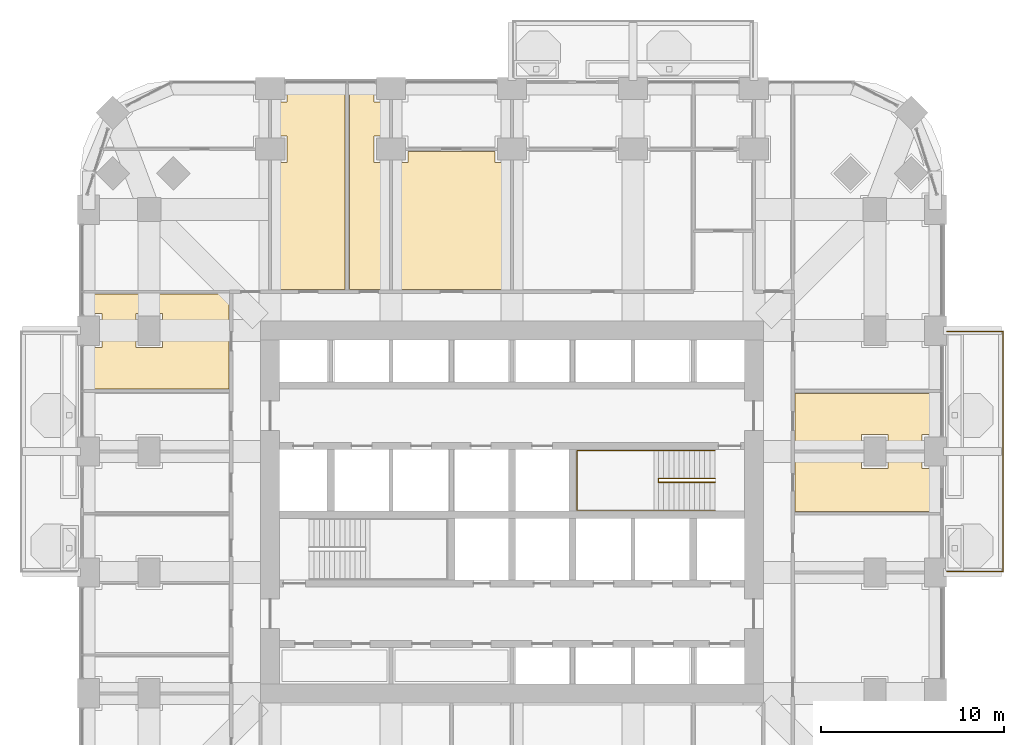
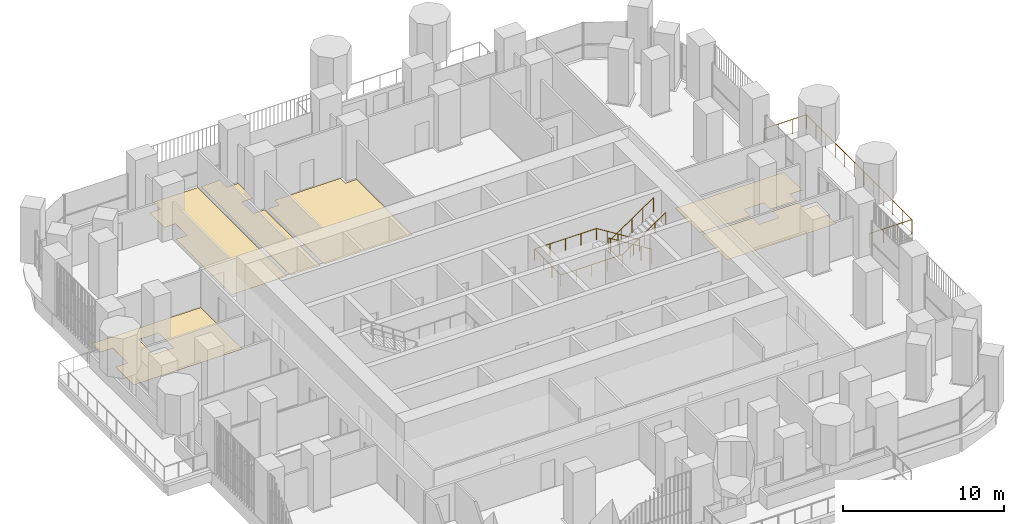
# One storey, part 21 of 23: 6 coverings, 3 railings.
"""IFC4 building model written with IfcOpenShell, lengths in metres."""

from ifc_helpers import new_model, si_unit, direction, frame, origin, place, context, subcontext, project, spatial, polyline, outline, extrude, material, layer, layer_set, type_object, element, save


model = new_model("IFC4")

# Units and contexts
model_context = context("Model", 3, precision=1e-05, world=origin(), true_north=direction((0.0, 1.0)))
body_context = subcontext(model_context, "Body", "Model", "MODEL_VIEW")
ifc_project = project(units=[si_unit("LENGTHUNIT", "METRE"), si_unit("AREAUNIT", "SQUARE_METRE"), si_unit("VOLUMEUNIT", "CUBIC_METRE"), si_unit("PLANEANGLEUNIT", "RADIAN"), si_unit("MASSUNIT", "GRAM", prefix="KILO")], contexts=[model_context])

# Site, building, storey
site_placement = place(None, origin())
site = spatial("IfcSite", under=ifc_project, at=site_placement, CompositionType="ELEMENT")
building_placement = place(site_placement, origin())
building = spatial("IfcBuilding", under=site, at=building_placement, Name="Cobogo Forest Laboratory Tower", CompositionType="ELEMENT")
storey_placement = place(building_placement, frame((0.0, 0.0, 103.199951171875)))
storey = spatial("IfcBuildingStorey", under=building, at=storey_placement, Name="L23", CompositionType="ELEMENT", Elevation=103.199951171875)

# Railing
ifc_material_1 = material(Name="Laminated glass balustrade", Category="glass")
railing_type_1 = type_object("IfcRailingType", Name="BG1 glass balustrade 1100", PredefinedType="GUARDRAIL", material=ifc_material_1)
railing_1_placement = place(storey_placement, frame((50.14990234375, 19.85009765625, 0.0)))
element("IfcRailing", 1, at=railing_1_placement, inside=storey, type_object=railing_type_1, Name="Balcony balustrade BAL-E1 L23", PredefinedType="GUARDRAIL", context=body_context, shape_type="SweptSolid", body=[
    extrude(outline(polyline([(0.022216796875, 0.00927734375), (0.00927734375, 0.022216796875), (-0.00927734375, 0.022216796875), (-0.022216796875, 0.00927734375), (-0.022216796875, -0.00927734375), (-0.00927734375, -0.022216796875), (0.00927734375, -0.022216796875), (0.022216796875, -0.00927734375), (0.022216796875, 0.00927734375)])), frame((0.0, 0.0, 1.077880859375), z_axis=(1.0, 0.0, 0.0), x_axis=(0.0, 1.0, 0.0)), (0.0, 0.0, 1.0), 3.050048828125),
    extrude(outline(polyline([(0.022216796875, 0.00927734375), (0.00927734375, 0.022216796875), (-0.00927734375, 0.022216796875), (-0.022216796875, 0.00927734375), (-0.022216796875, -0.00927734375), (-0.00927734375, -0.022216796875), (0.00927734375, -0.022216796875), (0.022216796875, -0.00927734375), (0.022216796875, 0.00927734375)])), frame((3.050048828125, 0.0, 1.077880859375), z_axis=(0.0, 1.0, 0.0), x_axis=(-1.0, 0.0, 0.0)), (0.0, 0.0, 1.0), 13.099853515625),
    extrude(outline(polyline([(0.022216796875, 0.00927734375), (0.00927734375, 0.022216796875), (-0.00927734375, 0.022216796875), (-0.022216796875, 0.00927734375), (-0.022216796875, -0.00927734375), (-0.00927734375, -0.022216796875), (0.00927734375, -0.022216796875), (0.022216796875, -0.00927734375), (0.022216796875, 0.00927734375)])), frame((3.050048828125, 13.099853515625, 1.077880859375), z_axis=(-1.0, 0.0, 0.0), x_axis=(0.0, -1.0, 0.0)), (0.0, 0.0, 1.0), 3.050048828125),
    extrude(outline(polyline([(0.019287109375, 0.008056640625), (0.008056640625, 0.019287109375), (-0.008056640625, 0.019287109375), (-0.019287109375, 0.008056640625), (-0.019287109375, -0.008056640625), (-0.008056640625, -0.019287109375), (0.008056640625, -0.019287109375), (0.019287109375, -0.008056640625), (0.019287109375, 0.008056640625)])), origin(), (0.0, 0.0, 1.0), 1.077880859375),
    extrude(outline(polyline([(0.019287109375, 0.008056640625), (0.008056640625, 0.019287109375), (-0.008056640625, 0.019287109375), (-0.019287109375, 0.008056640625), (-0.019287109375, -0.008056640625), (-0.008056640625, -0.019287109375), (0.008056640625, -0.019287109375), (0.019287109375, -0.008056640625), (0.019287109375, 0.008056640625)])), frame((1.0166015625, 0.0, 0.0)), (0.0, 0.0, 1.0), 1.077880859375),
    extrude(outline(polyline([(0.019287109375, 0.008056640625), (0.008056640625, 0.019287109375), (-0.008056640625, 0.019287109375), (-0.019287109375, 0.008056640625), (-0.019287109375, -0.008056640625), (-0.008056640625, -0.019287109375), (0.008056640625, -0.019287109375), (0.019287109375, -0.008056640625), (0.019287109375, 0.008056640625)])), frame((2.033447265625, 0.0, 0.0)), (0.0, 0.0, 1.0), 1.077880859375),
    extrude(outline(polyline([(0.019287109375, 0.008056640625), (0.008056640625, 0.019287109375), (-0.008056640625, 0.019287109375), (-0.019287109375, 0.008056640625), (-0.019287109375, -0.008056640625), (-0.008056640625, -0.019287109375), (0.008056640625, -0.019287109375), (0.019287109375, -0.008056640625), (0.019287109375, 0.008056640625)])), frame((3.050048828125, 0.0, 0.0)), (0.0, 0.0, 1.0), 1.077880859375),
    extrude(outline(polyline([(0.019287109375, 0.008056640625), (0.008056640625, 0.019287109375), (-0.008056640625, 0.019287109375), (-0.019287109375, 0.008056640625), (-0.019287109375, -0.008056640625), (-0.008056640625, -0.019287109375), (0.008056640625, -0.019287109375), (0.019287109375, -0.008056640625), (0.019287109375, 0.008056640625)])), frame((3.050048828125, 1.19091796875, 0.0)), (0.0, 0.0, 1.0), 1.077880859375),
    extrude(outline(polyline([(0.019287109375, 0.008056640625), (0.008056640625, 0.019287109375), (-0.008056640625, 0.019287109375), (-0.019287109375, 0.008056640625), (-0.019287109375, -0.008056640625), (-0.008056640625, -0.019287109375), (0.008056640625, -0.019287109375), (0.019287109375, -0.008056640625), (0.019287109375, 0.008056640625)])), frame((3.050048828125, 2.3818359375, 0.0)), (0.0, 0.0, 1.0), 1.077880859375),
    extrude(outline(polyline([(0.019287109375, 0.008056640625), (0.008056640625, 0.019287109375), (-0.008056640625, 0.019287109375), (-0.019287109375, 0.008056640625), (-0.019287109375, -0.008056640625), (-0.008056640625, -0.019287109375), (0.008056640625, -0.019287109375), (0.019287109375, -0.008056640625), (0.019287109375, 0.008056640625)])), frame((3.050048828125, 3.57275390625, 0.0)), (0.0, 0.0, 1.0), 1.077880859375),
    extrude(outline(polyline([(0.019287109375, 0.008056640625), (0.008056640625, 0.019287109375), (-0.008056640625, 0.019287109375), (-0.019287109375, 0.008056640625), (-0.019287109375, -0.008056640625), (-0.008056640625, -0.019287109375), (0.008056640625, -0.019287109375), (0.019287109375, -0.008056640625), (0.019287109375, 0.008056640625)])), frame((3.050048828125, 4.763671875, 0.0)), (0.0, 0.0, 1.0), 1.077880859375),
    extrude(outline(polyline([(0.019287109375, 0.008056640625), (0.008056640625, 0.019287109375), (-0.008056640625, 0.019287109375), (-0.019287109375, 0.008056640625), (-0.019287109375, -0.008056640625), (-0.008056640625, -0.019287109375), (0.008056640625, -0.019287109375), (0.019287109375, -0.008056640625), (0.019287109375, 0.008056640625)])), frame((3.050048828125, 5.95458984375, 0.0)), (0.0, 0.0, 1.0), 1.077880859375),
    extrude(outline(polyline([(0.019287109375, 0.008056640625), (0.008056640625, 0.019287109375), (-0.008056640625, 0.019287109375), (-0.019287109375, 0.008056640625), (-0.019287109375, -0.008056640625), (-0.008056640625, -0.019287109375), (0.008056640625, -0.019287109375), (0.019287109375, -0.008056640625), (0.019287109375, 0.008056640625)])), frame((3.050048828125, 7.145263671875, 0.0)), (0.0, 0.0, 1.0), 1.077880859375),
    extrude(outline(polyline([(0.019287109375, 0.008056640625), (0.008056640625, 0.019287109375), (-0.008056640625, 0.019287109375), (-0.019287109375, 0.008056640625), (-0.019287109375, -0.008056640625), (-0.008056640625, -0.019287109375), (0.008056640625, -0.019287109375), (0.019287109375, -0.008056640625), (0.019287109375, 0.008056640625)])), frame((3.050048828125, 8.336181640625, 0.0)), (0.0, 0.0, 1.0), 1.077880859375),
    extrude(outline(polyline([(0.019287109375, 0.008056640625), (0.008056640625, 0.019287109375), (-0.008056640625, 0.019287109375), (-0.019287109375, 0.008056640625), (-0.019287109375, -0.008056640625), (-0.008056640625, -0.019287109375), (0.008056640625, -0.019287109375), (0.019287109375, -0.008056640625), (0.019287109375, 0.008056640625)])), frame((3.050048828125, 9.527099609375, 0.0)), (0.0, 0.0, 1.0), 1.077880859375),
    extrude(outline(polyline([(0.019287109375, 0.008056640625), (0.008056640625, 0.019287109375), (-0.008056640625, 0.019287109375), (-0.019287109375, 0.008056640625), (-0.019287109375, -0.008056640625), (-0.008056640625, -0.019287109375), (0.008056640625, -0.019287109375), (0.019287109375, -0.008056640625), (0.019287109375, 0.008056640625)])), frame((3.050048828125, 10.718017578125, 0.0)), (0.0, 0.0, 1.0), 1.077880859375),
    extrude(outline(polyline([(0.019287109375, 0.008056640625), (0.008056640625, 0.019287109375), (-0.008056640625, 0.019287109375), (-0.019287109375, 0.008056640625), (-0.019287109375, -0.008056640625), (-0.008056640625, -0.019287109375), (0.008056640625, -0.019287109375), (0.019287109375, -0.008056640625), (0.019287109375, 0.008056640625)])), frame((3.050048828125, 11.908935546875, 0.0)), (0.0, 0.0, 1.0), 1.077880859375),
    extrude(outline(polyline([(0.019287109375, 0.008056640625), (0.008056640625, 0.019287109375), (-0.008056640625, 0.019287109375), (-0.019287109375, 0.008056640625), (-0.019287109375, -0.008056640625), (-0.008056640625, -0.019287109375), (0.008056640625, -0.019287109375), (0.019287109375, -0.008056640625), (0.019287109375, 0.008056640625)])), frame((3.050048828125, 13.099853515625, 0.0)), (0.0, 0.0, 1.0), 1.077880859375),
    extrude(outline(polyline([(0.019287109375, 0.008056640625), (0.008056640625, 0.019287109375), (-0.008056640625, 0.019287109375), (-0.019287109375, 0.008056640625), (-0.019287109375, -0.008056640625), (-0.008056640625, -0.019287109375), (0.008056640625, -0.019287109375), (0.019287109375, -0.008056640625), (0.019287109375, 0.008056640625)])), frame((2.033447265625, 13.099853515625, 0.0)), (0.0, 0.0, 1.0), 1.077880859375),
    extrude(outline(polyline([(0.019287109375, 0.008056640625), (0.008056640625, 0.019287109375), (-0.008056640625, 0.019287109375), (-0.019287109375, 0.008056640625), (-0.019287109375, -0.008056640625), (-0.008056640625, -0.019287109375), (0.008056640625, -0.019287109375), (0.019287109375, -0.008056640625), (0.019287109375, 0.008056640625)])), frame((1.0166015625, 13.099853515625, 0.0)), (0.0, 0.0, 1.0), 1.077880859375),
    extrude(outline(polyline([(0.019287109375, 0.008056640625), (0.008056640625, 0.019287109375), (-0.008056640625, 0.019287109375), (-0.019287109375, 0.008056640625), (-0.019287109375, -0.008056640625), (-0.008056640625, -0.019287109375), (0.008056640625, -0.019287109375), (0.019287109375, -0.008056640625), (0.019287109375, 0.008056640625)])), frame((0.0, 13.099853515625, 0.0)), (0.0, 0.0, 1.0), 1.077880859375),
])

# Coverings
ifc_material_2 = material(Name="Carpet tile on raised access floor", Category="flooring")
ifc_layer_1 = layer(ifc_material_2, 0.008056640625)
ifc_layer_set_1 = layer_set([ifc_layer_1], Name="CT1 carpet tile floor 8")
covering_type_1 = type_object("IfcCoveringType", Name="CT1 carpet tile floor 8", PredefinedType="FLOORING", material=ifc_layer_set_1)
covering_1_placement = place(storey_placement, origin())
element("IfcCovering", 2, at=covering_1_placement, inside=storey, type_object=covering_type_1, Name="Carpet floor L23-13", PredefinedType="FLOORING", context=body_context, shape_type="SweptSolid", body=[
    extrude(outline(polyline([(41.844970703125, 29.580078125), (49.64990234375, 29.580078125), (49.64990234375, 27.320068359375), (48.780029296875, 27.320068359375), (48.780029296875, 26.52001953125), (46.919921875, 26.52001953125), (46.919921875, 27.320068359375), (45.47998046875, 27.320068359375), (45.47998046875, 26.52001953125), (41.844970703125, 26.52001953125), (41.844970703125, 29.580078125)])), origin(), (0.0, 0.0, 1.0), 0.008056640625),
])
covering_2_placement = place(storey_placement, origin())
element("IfcCovering", 3, at=covering_2_placement, inside=storey, type_object=covering_type_1, Name="Carpet floor L23-17", PredefinedType="FLOORING", context=body_context, shape_type="SweptSolid", body=[
    extrude(outline(polyline([(13.320068359375, 35.2451171875), (13.320068359375, 42.179931640625), (14.1201171875, 42.179931640625), (14.1201171875, 43.6201171875), (13.320068359375, 43.6201171875), (13.320068359375, 45.47998046875), (14.1201171875, 45.47998046875), (14.1201171875, 46.35009765625), (17.280029296875, 46.35009765625), (17.280029296875, 35.2451171875), (13.320068359375, 35.2451171875)])), origin(), (0.0, 0.0, 1.0), 0.008056640625),
])
covering_3_placement = place(storey_placement, origin())
element("IfcCovering", 4, at=covering_3_placement, inside=storey, type_object=covering_type_1, Name="Carpet floor L23-32", PredefinedType="FLOORING", context=body_context, shape_type="SweptSolid", body=[
    extrude(outline(polyline([(10.955078125, 29.820068359375), (3.14990234375, 29.820068359375), (3.14990234375, 32.080078125), (4.02001953125, 32.080078125), (4.02001953125, 33.919921875), (3.14990234375, 33.919921875), (3.14990234375, 35.0048828125), (10.955078125, 35.0048828125), (10.955078125, 29.820068359375)]), holes=[polyline([(5.8798828125, 32.080078125), (7.320068359375, 32.080078125), (7.320068359375, 33.919921875), (5.8798828125, 33.919921875), (5.8798828125, 32.080078125)])]), origin(), (0.0, 0.0, 1.0), 0.008056640625),
])

# Railings
ifc_material_3 = material(Name="Steel balustrade", Category="steel")
railing_type_2 = type_object("IfcRailingType", Name="GR stair guard 1100", PredefinedType="GUARDRAIL", material=ifc_material_3)
railing_2_placement = place(storey_placement, frame((37.47509765625, 24.929931640625, 0.175048828125)))
element("IfcRailing", 5, at=railing_2_placement, inside=storey, type_object=railing_type_2, Name="Stair guard ST2 L23", PredefinedType="GUARDRAIL", context=body_context, shape_type="SweptSolid", body=[
    extrude(outline(polyline([(0.022216796875, 0.00927734375), (0.00927734375, 0.022216796875), (-0.00927734375, 0.022216796875), (-0.022216796875, 0.00927734375), (-0.022216796875, -0.00927734375), (-0.00927734375, -0.022216796875), (0.00927734375, -0.022216796875), (0.022216796875, -0.00927734375), (0.022216796875, 0.00927734375)])), frame((0.0, 0.0, 1.077880859375), z_axis=(-0.847998304005, 0.0, 0.529998940003), x_axis=(0.0, -1.0, 0.0)), (0.0, 0.0, 1.0), 3.632080078125),
    extrude(outline(polyline([(0.022216796875, 0.00927734375), (0.00927734375, 0.022216796875), (-0.00927734375, 0.022216796875), (-0.022216796875, 0.00927734375), (-0.022216796875, -0.00927734375), (-0.00927734375, -0.022216796875), (0.00927734375, -0.022216796875), (0.022216796875, -0.00927734375), (0.022216796875, 0.00927734375)])), frame((-3.080078125, 0.0, 3.0029296875), z_axis=(0.0, -1.0, 0.0), x_axis=(1.0, 0.0, 0.0)), (0.0, 0.0, 1.0), 0.2099609375),
    extrude(outline(polyline([(0.022216796875, 0.00927734375), (0.00927734375, 0.022216796875), (-0.00927734375, 0.022216796875), (-0.022216796875, 0.00927734375), (-0.022216796875, -0.00927734375), (-0.00927734375, -0.022216796875), (0.00927734375, -0.022216796875), (0.022216796875, -0.00927734375), (0.022216796875, 0.00927734375)])), frame((-3.080078125, -0.2099609375, 3.0029296875), z_axis=(0.826252282691, 0.0, 0.563300244406), x_axis=(0.0, 1.0, 0.0)), (0.0, 0.0, 1.0), 3.727783203125),
    extrude(outline(polyline([(0.019287109375, 0.008056640625), (0.008056640625, 0.019287109375), (-0.008056640625, 0.019287109375), (-0.019287109375, 0.008056640625), (-0.019287109375, -0.008056640625), (-0.008056640625, -0.019287109375), (0.008056640625, -0.019287109375), (0.019287109375, -0.008056640625), (0.019287109375, 0.008056640625)])), origin(), (0.0, 0.0, 1.0), 1.077880859375),
    extrude(outline(polyline([(0.019287109375, 0.008056640625), (0.008056640625, 0.019287109375), (-0.008056640625, 0.019287109375), (-0.019287109375, 0.008056640625), (-0.019287109375, -0.008056640625), (-0.008056640625, -0.019287109375), (0.008056640625, -0.019287109375), (0.019287109375, -0.008056640625), (0.019287109375, 0.008056640625)])), frame((-0.77001953125, 0.0, 0.481201171875)), (0.0, 0.0, 1.0), 1.077880859375),
    extrude(outline(polyline([(0.019287109375, 0.008056640625), (0.008056640625, 0.019287109375), (-0.008056640625, 0.019287109375), (-0.019287109375, 0.008056640625), (-0.019287109375, -0.008056640625), (-0.008056640625, -0.019287109375), (0.008056640625, -0.019287109375), (0.019287109375, -0.008056640625), (0.019287109375, 0.008056640625)])), frame((-1.5400390625, 0.0, 0.96240234375)), (0.0, 0.0, 1.0), 1.077880859375),
    extrude(outline(polyline([(0.019287109375, 0.008056640625), (0.008056640625, 0.019287109375), (-0.008056640625, 0.019287109375), (-0.019287109375, 0.008056640625), (-0.019287109375, -0.008056640625), (-0.008056640625, -0.019287109375), (0.008056640625, -0.019287109375), (0.019287109375, -0.008056640625), (0.019287109375, 0.008056640625)])), frame((-2.31005859375, 0.0, 1.44384765625)), (0.0, 0.0, 1.0), 1.077880859375),
    extrude(outline(polyline([(0.019287109375, 0.008056640625), (0.008056640625, 0.019287109375), (-0.008056640625, 0.019287109375), (-0.019287109375, 0.008056640625), (-0.019287109375, -0.008056640625), (-0.008056640625, -0.019287109375), (0.008056640625, -0.019287109375), (0.019287109375, -0.008056640625), (0.019287109375, 0.008056640625)])), frame((-3.080078125, 0.0, 1.925048828125)), (0.0, 0.0, 1.0), 1.077880859375),
    extrude(outline(polyline([(0.019287109375, 0.008056640625), (0.008056640625, 0.019287109375), (-0.008056640625, 0.019287109375), (-0.019287109375, 0.008056640625), (-0.019287109375, -0.008056640625), (-0.008056640625, -0.019287109375), (0.008056640625, -0.019287109375), (0.019287109375, -0.008056640625), (0.019287109375, 0.008056640625)])), frame((-3.080078125, -0.2099609375, 1.925048828125)), (0.0, 0.0, 1.0), 1.077880859375),
    extrude(outline(polyline([(0.019287109375, 0.008056640625), (0.008056640625, 0.019287109375), (-0.008056640625, 0.019287109375), (-0.019287109375, 0.008056640625), (-0.019287109375, -0.008056640625), (-0.008056640625, -0.019287109375), (0.008056640625, -0.019287109375), (0.019287109375, -0.008056640625), (0.019287109375, 0.008056640625)])), frame((-2.31005859375, -0.2099609375, 2.449951171875)), (0.0, 0.0, 1.0), 1.077880859375),
    extrude(outline(polyline([(0.019287109375, 0.008056640625), (0.008056640625, 0.019287109375), (-0.008056640625, 0.019287109375), (-0.019287109375, 0.008056640625), (-0.019287109375, -0.008056640625), (-0.008056640625, -0.019287109375), (0.008056640625, -0.019287109375), (0.019287109375, -0.008056640625), (0.019287109375, 0.008056640625)])), frame((-1.5400390625, -0.2099609375, 2.97509765625)), (0.0, 0.0, 1.0), 1.077880859375),
    extrude(outline(polyline([(0.019287109375, 0.008056640625), (0.008056640625, 0.019287109375), (-0.008056640625, 0.019287109375), (-0.019287109375, 0.008056640625), (-0.019287109375, -0.008056640625), (-0.008056640625, -0.019287109375), (0.008056640625, -0.019287109375), (0.019287109375, -0.008056640625), (0.019287109375, 0.008056640625)])), frame((-0.77001953125, -0.2099609375, 3.5)), (0.0, 0.0, 1.0), 1.077880859375),
    extrude(outline(polyline([(0.019287109375, 0.008056640625), (0.008056640625, 0.019287109375), (-0.008056640625, 0.019287109375), (-0.019287109375, 0.008056640625), (-0.019287109375, -0.008056640625), (-0.008056640625, -0.019287109375), (0.008056640625, -0.019287109375), (0.019287109375, -0.008056640625), (0.019287109375, 0.008056640625)])), frame((0.0, -0.2099609375, 4.02490234375)), (0.0, 0.0, 1.0), 1.077880859375),
])
ifc_material_4 = material(Name="Stainless steel handrail", Category="steel")
railing_type_3 = type_object("IfcRailingType", Name="HR handrail 900", PredefinedType="HANDRAIL", material=ifc_material_4)
railing_3_placement = place(storey_placement, frame((37.47509765625, 26.449951171875, 0.175048828125)))
element("IfcRailing", 6, at=railing_3_placement, inside=storey, type_object=railing_type_3, Name="Stair handrail ST2 L23", PredefinedType="HANDRAIL", context=body_context, shape_type="SweptSolid", body=[
    extrude(outline(polyline([(0.022216796875, 0.00927734375), (0.00927734375, 0.022216796875), (-0.00927734375, 0.022216796875), (-0.022216796875, 0.00927734375), (-0.022216796875, -0.00927734375), (-0.00927734375, -0.022216796875), (0.00927734375, -0.022216796875), (0.022216796875, -0.00927734375), (0.022216796875, 0.00927734375)])), frame((0.0, 0.0, 0.877685546875), z_axis=(-0.847998304005, 0.0, 0.529998940003), x_axis=(0.0, -1.0, 0.0)), (0.0, 0.0, 1.0), 3.632080078125),
    extrude(outline(polyline([(0.022216796875, 0.00927734375), (0.00927734375, 0.022216796875), (-0.00927734375, 0.022216796875), (-0.022216796875, 0.00927734375), (-0.022216796875, -0.00927734375), (-0.00927734375, -0.022216796875), (0.00927734375, -0.022216796875), (0.022216796875, -0.00927734375), (0.022216796875, 0.00927734375)])), frame((-3.080078125, 0.0, 2.802734375), z_axis=(-1.0, 0.0, 0.0), x_axis=(0.0, -1.0, 0.0)), (0.0, 0.0, 1.0), 4.445068359375),
    extrude(outline(polyline([(0.022216796875, 0.00927734375), (0.00927734375, 0.022216796875), (-0.00927734375, 0.022216796875), (-0.022216796875, 0.00927734375), (-0.022216796875, -0.00927734375), (-0.00927734375, -0.022216796875), (0.00927734375, -0.022216796875), (0.022216796875, -0.00927734375), (0.022216796875, 0.00927734375)])), frame((-7.525146484375, 0.0, 2.802734375), z_axis=(0.0, -1.0, 0.0), x_axis=(1.0, 0.0, 0.0)), (0.0, 0.0, 1.0), 3.25),
    extrude(outline(polyline([(0.022216796875, 0.00927734375), (0.00927734375, 0.022216796875), (-0.00927734375, 0.022216796875), (-0.022216796875, 0.00927734375), (-0.022216796875, -0.00927734375), (-0.00927734375, -0.022216796875), (0.00927734375, -0.022216796875), (0.022216796875, -0.00927734375), (0.022216796875, 0.00927734375)])), frame((-7.525146484375, -3.25, 2.802734375), z_axis=(1.0, 0.0, 0.0), x_axis=(0.0, 1.0, 0.0)), (0.0, 0.0, 1.0), 4.445068359375),
    extrude(outline(polyline([(0.022216796875, 0.00927734375), (0.00927734375, 0.022216796875), (-0.00927734375, 0.022216796875), (-0.022216796875, 0.00927734375), (-0.022216796875, -0.00927734375), (-0.00927734375, -0.022216796875), (0.00927734375, -0.022216796875), (0.022216796875, -0.00927734375), (0.022216796875, 0.00927734375)])), frame((-3.080078125, -3.25, 2.802734375), z_axis=(0.826252282691, 0.0, 0.563300244406), x_axis=(0.0, 1.0, 0.0)), (0.0, 0.0, 1.0), 3.727783203125),
    extrude(outline(polyline([(0.019287109375, 0.008056640625), (0.008056640625, 0.019287109375), (-0.008056640625, 0.019287109375), (-0.019287109375, 0.008056640625), (-0.019287109375, -0.008056640625), (-0.008056640625, -0.019287109375), (0.008056640625, -0.019287109375), (0.019287109375, -0.008056640625), (0.019287109375, 0.008056640625)])), origin(), (0.0, 0.0, 1.0), 0.877685546875),
    extrude(outline(polyline([(0.019287109375, 0.008056640625), (0.008056640625, 0.019287109375), (-0.008056640625, 0.019287109375), (-0.019287109375, 0.008056640625), (-0.019287109375, -0.008056640625), (-0.008056640625, -0.019287109375), (0.008056640625, -0.019287109375), (0.019287109375, -0.008056640625), (0.019287109375, 0.008056640625)])), frame((-0.77001953125, 0.0, 0.481201171875)), (0.0, 0.0, 1.0), 0.877685546875),
    extrude(outline(polyline([(0.019287109375, 0.008056640625), (0.008056640625, 0.019287109375), (-0.008056640625, 0.019287109375), (-0.019287109375, 0.008056640625), (-0.019287109375, -0.008056640625), (-0.008056640625, -0.019287109375), (0.008056640625, -0.019287109375), (0.019287109375, -0.008056640625), (0.019287109375, 0.008056640625)])), frame((-1.5400390625, 0.0, 0.96240234375)), (0.0, 0.0, 1.0), 0.877685546875),
    extrude(outline(polyline([(0.019287109375, 0.008056640625), (0.008056640625, 0.019287109375), (-0.008056640625, 0.019287109375), (-0.019287109375, 0.008056640625), (-0.019287109375, -0.008056640625), (-0.008056640625, -0.019287109375), (0.008056640625, -0.019287109375), (0.019287109375, -0.008056640625), (0.019287109375, 0.008056640625)])), frame((-2.31005859375, 0.0, 1.44384765625)), (0.0, 0.0, 1.0), 0.877685546875),
    extrude(outline(polyline([(0.019287109375, 0.008056640625), (0.008056640625, 0.019287109375), (-0.008056640625, 0.019287109375), (-0.019287109375, 0.008056640625), (-0.019287109375, -0.008056640625), (-0.008056640625, -0.019287109375), (0.008056640625, -0.019287109375), (0.019287109375, -0.008056640625), (0.019287109375, 0.008056640625)])), frame((-3.080078125, 0.0, 1.925048828125)), (0.0, 0.0, 1.0), 0.877685546875),
    extrude(outline(polyline([(0.019287109375, 0.008056640625), (0.008056640625, 0.019287109375), (-0.008056640625, 0.019287109375), (-0.019287109375, 0.008056640625), (-0.019287109375, -0.008056640625), (-0.008056640625, -0.019287109375), (0.008056640625, -0.019287109375), (0.019287109375, -0.008056640625), (0.019287109375, 0.008056640625)])), frame((-4.19140625, 0.0, 1.925048828125)), (0.0, 0.0, 1.0), 0.877685546875),
    extrude(outline(polyline([(0.019287109375, 0.008056640625), (0.008056640625, 0.019287109375), (-0.008056640625, 0.019287109375), (-0.019287109375, 0.008056640625), (-0.019287109375, -0.008056640625), (-0.008056640625, -0.019287109375), (0.008056640625, -0.019287109375), (0.019287109375, -0.008056640625), (0.019287109375, 0.008056640625)])), frame((-5.302734375, 0.0, 1.925048828125)), (0.0, 0.0, 1.0), 0.877685546875),
    extrude(outline(polyline([(0.019287109375, 0.008056640625), (0.008056640625, 0.019287109375), (-0.008056640625, 0.019287109375), (-0.019287109375, 0.008056640625), (-0.019287109375, -0.008056640625), (-0.008056640625, -0.019287109375), (0.008056640625, -0.019287109375), (0.019287109375, -0.008056640625), (0.019287109375, 0.008056640625)])), frame((-6.413818359375, 0.0, 1.925048828125)), (0.0, 0.0, 1.0), 0.877685546875),
    extrude(outline(polyline([(0.019287109375, 0.008056640625), (0.008056640625, 0.019287109375), (-0.008056640625, 0.019287109375), (-0.019287109375, 0.008056640625), (-0.019287109375, -0.008056640625), (-0.008056640625, -0.019287109375), (0.008056640625, -0.019287109375), (0.019287109375, -0.008056640625), (0.019287109375, 0.008056640625)])), frame((-7.525146484375, 0.0, 1.925048828125)), (0.0, 0.0, 1.0), 0.877685546875),
    extrude(outline(polyline([(0.019287109375, 0.008056640625), (0.008056640625, 0.019287109375), (-0.008056640625, 0.019287109375), (-0.019287109375, 0.008056640625), (-0.019287109375, -0.008056640625), (-0.008056640625, -0.019287109375), (0.008056640625, -0.019287109375), (0.019287109375, -0.008056640625), (0.019287109375, 0.008056640625)])), frame((-7.525146484375, -1.083251953125, 1.925048828125)), (0.0, 0.0, 1.0), 0.877685546875),
    extrude(outline(polyline([(0.019287109375, 0.008056640625), (0.008056640625, 0.019287109375), (-0.008056640625, 0.019287109375), (-0.019287109375, 0.008056640625), (-0.019287109375, -0.008056640625), (-0.008056640625, -0.019287109375), (0.008056640625, -0.019287109375), (0.019287109375, -0.008056640625), (0.019287109375, 0.008056640625)])), frame((-7.525146484375, -2.166748046875, 1.925048828125)), (0.0, 0.0, 1.0), 0.877685546875),
    extrude(outline(polyline([(0.019287109375, 0.008056640625), (0.008056640625, 0.019287109375), (-0.008056640625, 0.019287109375), (-0.019287109375, 0.008056640625), (-0.019287109375, -0.008056640625), (-0.008056640625, -0.019287109375), (0.008056640625, -0.019287109375), (0.019287109375, -0.008056640625), (0.019287109375, 0.008056640625)])), frame((-7.525146484375, -3.25, 1.925048828125)), (0.0, 0.0, 1.0), 0.877685546875),
    extrude(outline(polyline([(0.019287109375, 0.008056640625), (0.008056640625, 0.019287109375), (-0.008056640625, 0.019287109375), (-0.019287109375, 0.008056640625), (-0.019287109375, -0.008056640625), (-0.008056640625, -0.019287109375), (0.008056640625, -0.019287109375), (0.019287109375, -0.008056640625), (0.019287109375, 0.008056640625)])), frame((-6.413818359375, -3.25, 1.925048828125)), (0.0, 0.0, 1.0), 0.877685546875),
    extrude(outline(polyline([(0.019287109375, 0.008056640625), (0.008056640625, 0.019287109375), (-0.008056640625, 0.019287109375), (-0.019287109375, 0.008056640625), (-0.019287109375, -0.008056640625), (-0.008056640625, -0.019287109375), (0.008056640625, -0.019287109375), (0.019287109375, -0.008056640625), (0.019287109375, 0.008056640625)])), frame((-5.302734375, -3.25, 1.925048828125)), (0.0, 0.0, 1.0), 0.877685546875),
    extrude(outline(polyline([(0.019287109375, 0.008056640625), (0.008056640625, 0.019287109375), (-0.008056640625, 0.019287109375), (-0.019287109375, 0.008056640625), (-0.019287109375, -0.008056640625), (-0.008056640625, -0.019287109375), (0.008056640625, -0.019287109375), (0.019287109375, -0.008056640625), (0.019287109375, 0.008056640625)])), frame((-4.19140625, -3.25, 1.925048828125)), (0.0, 0.0, 1.0), 0.877685546875),
    extrude(outline(polyline([(0.019287109375, 0.008056640625), (0.008056640625, 0.019287109375), (-0.008056640625, 0.019287109375), (-0.019287109375, 0.008056640625), (-0.019287109375, -0.008056640625), (-0.008056640625, -0.019287109375), (0.008056640625, -0.019287109375), (0.019287109375, -0.008056640625), (0.019287109375, 0.008056640625)])), frame((-3.080078125, -3.25, 1.925048828125)), (0.0, 0.0, 1.0), 0.877685546875),
    extrude(outline(polyline([(0.019287109375, 0.008056640625), (0.008056640625, 0.019287109375), (-0.008056640625, 0.019287109375), (-0.019287109375, 0.008056640625), (-0.019287109375, -0.008056640625), (-0.008056640625, -0.019287109375), (0.008056640625, -0.019287109375), (0.019287109375, -0.008056640625), (0.019287109375, 0.008056640625)])), frame((-2.31005859375, -3.25, 2.449951171875)), (0.0, 0.0, 1.0), 0.877685546875),
    extrude(outline(polyline([(0.019287109375, 0.008056640625), (0.008056640625, 0.019287109375), (-0.008056640625, 0.019287109375), (-0.019287109375, 0.008056640625), (-0.019287109375, -0.008056640625), (-0.008056640625, -0.019287109375), (0.008056640625, -0.019287109375), (0.019287109375, -0.008056640625), (0.019287109375, 0.008056640625)])), frame((-1.5400390625, -3.25, 2.97509765625)), (0.0, 0.0, 1.0), 0.877685546875),
    extrude(outline(polyline([(0.019287109375, 0.008056640625), (0.008056640625, 0.019287109375), (-0.008056640625, 0.019287109375), (-0.019287109375, 0.008056640625), (-0.019287109375, -0.008056640625), (-0.008056640625, -0.019287109375), (0.008056640625, -0.019287109375), (0.019287109375, -0.008056640625), (0.019287109375, 0.008056640625)])), frame((-0.77001953125, -3.25, 3.5)), (0.0, 0.0, 1.0), 0.877685546875),
    extrude(outline(polyline([(0.019287109375, 0.008056640625), (0.008056640625, 0.019287109375), (-0.008056640625, 0.019287109375), (-0.019287109375, 0.008056640625), (-0.019287109375, -0.008056640625), (-0.008056640625, -0.019287109375), (0.008056640625, -0.019287109375), (0.019287109375, -0.008056640625), (0.019287109375, 0.008056640625)])), frame((0.0, -3.25, 4.02490234375)), (0.0, 0.0, 1.0), 0.877685546875),
])

# Coverings
ifc_material_5 = material(Name="Epoxy resin flooring", Category="flooring")
ifc_layer_2 = layer(ifc_material_5, 0.00390625)
ifc_layer_set_2 = layer_set([ifc_layer_2], Name="LF1 epoxy laboratory floor 4")
covering_type_2 = type_object("IfcCoveringType", Name="LF1 epoxy laboratory floor 4", PredefinedType="FLOORING", material=ifc_layer_set_2)
covering_4_placement = place(storey_placement, origin())
element("IfcCovering", 7, at=covering_4_placement, inside=storey, type_object=covering_type_2, Name="Epoxy laboratory floor L23-19", PredefinedType="FLOORING", context=body_context, shape_type="SweptSolid", body=[
    extrude(outline(polyline([(19.919921875, 42.179931640625), (20.719970703125, 42.179931640625), (20.719970703125, 42.780029296875), (25.47998046875, 42.780029296875), (25.47998046875, 42.179931640625), (26.280029296875, 42.179931640625), (26.280029296875, 35.2451171875), (19.919921875, 35.2451171875), (19.919921875, 42.179931640625)])), origin(), (0.0, 0.0, 1.0), 0.004150390625),
])
ifc_material_6 = material(Name="Static-dissipative vinyl flooring", Category="flooring")
ifc_layer_3 = layer(ifc_material_6, 0.0029296875)
ifc_layer_set_3 = layer_set([ifc_layer_3], Name="SD1 static-dissipative vinyl floor 3")
covering_type_3 = type_object("IfcCoveringType", Name="SD1 static-dissipative vinyl floor 3", PredefinedType="FLOORING", material=ifc_layer_set_3)
covering_5_placement = place(storey_placement, origin())
element("IfcCovering", 8, at=covering_5_placement, inside=storey, type_object=covering_type_3, Name="Static-dissipative floor L23-12", PredefinedType="FLOORING", context=body_context, shape_type="SweptSolid", body=[
    extrude(outline(polyline([(41.844970703125, 26.280029296875), (45.47998046875, 26.280029296875), (45.47998046875, 25.47998046875), (46.919921875, 25.47998046875), (46.919921875, 26.280029296875), (48.780029296875, 26.280029296875), (48.780029296875, 25.47998046875), (49.64990234375, 25.47998046875), (49.64990234375, 23.1201171875), (41.844970703125, 23.1201171875), (41.844970703125, 26.280029296875)])), origin(), (0.0, 0.0, 1.0), 0.0029296875),
])
ifc_material_7 = material(Name="Ceramic floor tile", Category="flooring")
ifc_layer_4 = layer(ifc_material_7, 0.010009765625)
ifc_layer_set_4 = layer_set([ifc_layer_4], Name="TF1 ceramic tile floor 10")
covering_type_4 = type_object("IfcCoveringType", Name="TF1 ceramic tile floor 10", PredefinedType="FLOORING", material=ifc_layer_set_4)
covering_6_placement = place(storey_placement, origin())
element("IfcCovering", 9, at=covering_6_placement, inside=storey, type_object=covering_type_4, Name="Tile floor L23-18", PredefinedType="FLOORING", context=body_context, shape_type="SweptSolid", body=[
    extrude(outline(polyline([(17.52001953125, 35.2451171875), (17.52001953125, 46.35009765625), (18.8798828125, 46.35009765625), (18.8798828125, 45.47998046875), (19.679931640625, 45.47998046875), (19.679931640625, 43.6201171875), (18.8798828125, 43.6201171875), (18.8798828125, 42.179931640625), (19.679931640625, 42.179931640625), (19.679931640625, 35.2451171875), (17.52001953125, 35.2451171875)])), origin(), (0.0, 0.0, 1.0), 0.010009765625),
])

save(model, "model.ifc")
